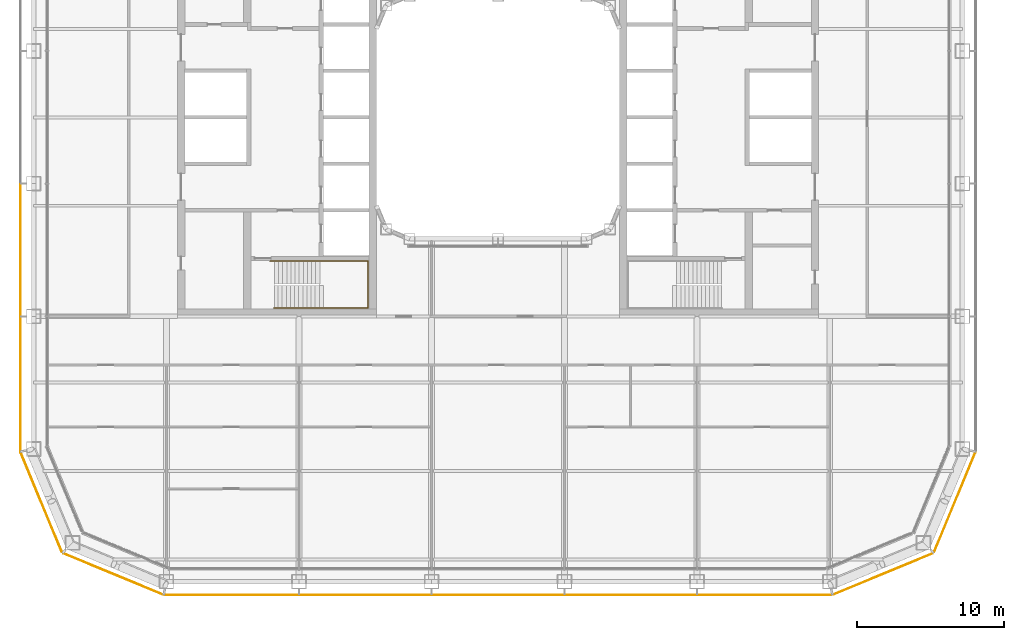
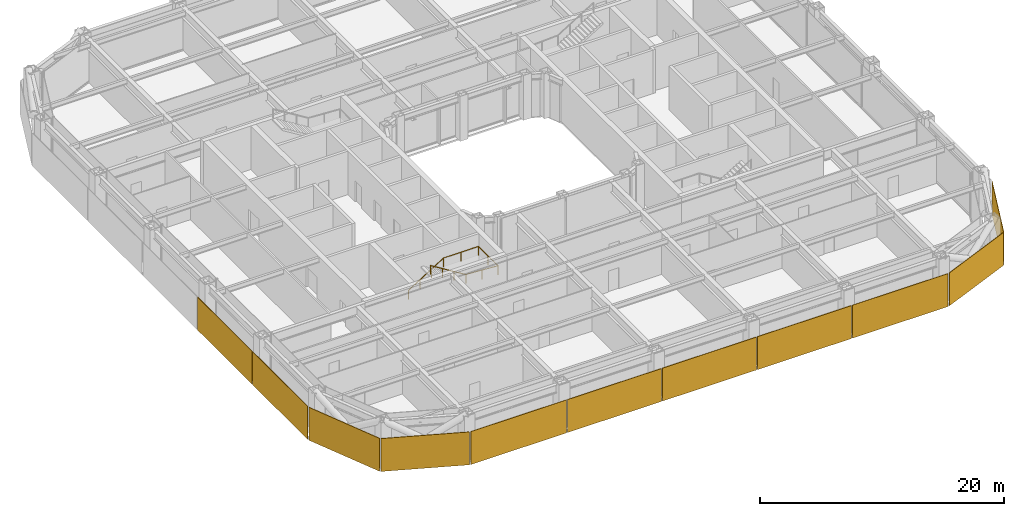
# One storey, part 25 of 30: 11 coverings, 1 railing.
"""IFC4 building model written with IfcOpenShell, lengths in metres."""

from ifc_helpers import new_model, si_unit, direction, frame, origin, origin_2d, place, context, subcontext, project, spatial, rectangle, circle, extrude, material, layer, layer_set, type_object, element, save


model = new_model("IFC4")

# Units and contexts
model_context = context("Model", 3, precision=1e-05, world=origin(), true_north=direction((0.0, 1.0)))
body_context = subcontext(model_context, "Body", "Model", "MODEL_VIEW")
ifc_project = project(units=[si_unit("LENGTHUNIT", "METRE"), si_unit("AREAUNIT", "SQUARE_METRE"), si_unit("VOLUMEUNIT", "CUBIC_METRE"), si_unit("PLANEANGLEUNIT", "RADIAN"), si_unit("MASSUNIT", "GRAM", prefix="KILO")], contexts=[model_context])

# Site, building, storey
site_placement = place(None, origin())
site = spatial("IfcSite", under=ifc_project, at=site_placement, CompositionType="ELEMENT")
building_placement = place(site_placement, origin())
building = spatial("IfcBuilding", under=site, at=building_placement, Name="Siwar Civic Tower", CompositionType="ELEMENT")
storey_placement = place(building_placement, frame((0.0, 0.0, 80.699951171875)))
storey = spatial("IfcBuildingStorey", under=building, at=storey_placement, Name="L17", CompositionType="ELEMENT", Elevation=80.699951171875)

# Railing
ifc_material_1 = material(Name="Stainless steel", Category="steel")
railing_type = type_object("IfcRailingType", Name="CORE-STAIR-HANDRAIL", PredefinedType="HANDRAIL", material=ifc_material_1)
railing_placement = place(storey_placement, frame((-15.449951171875, -9.758056640625, 0.173095703125)))
element("IfcRailing", 1, at=railing_placement, inside=storey, type_object=railing_type, Name="Stair handrail ST2", PredefinedType="HANDRAIL", context=body_context, shape_type="SweptSolid", body=[
    extrude(circle(Radius=0.02001953125, at=origin_2d()), frame((0.0, 0.0, 0.8798828125), z_axis=(0.847063342986, 0.0, 0.531491950051), x_axis=(0.0, 1.0, 0.0)), (0.0, 0.0, 1.0), 3.90771484375),
    extrude(circle(Radius=0.02001953125, at=origin_2d()), frame((3.31005859375, 0.0, 2.956787109375), z_axis=(1.0, 0.0, 0.0), x_axis=(0.0, 1.0, 0.0)), (0.0, 0.0, 1.0), 3.331787109375),
    extrude(circle(Radius=0.02001953125, at=origin_2d()), frame((6.641845703125, 0.0, 2.956787109375), z_axis=(0.0, -1.0, 0.0), x_axis=(1.0, 0.0, 0.0)), (0.0, 0.0, 1.0), 3.183837890625),
    extrude(circle(Radius=0.02001953125, at=origin_2d()), frame((6.641845703125, -3.183837890625, 2.956787109375), z_axis=(-0.99837434197, 0.0, 0.056997134106), x_axis=(0.0, -1.0, 0.0)), (0.0, 0.0, 1.0), 3.036865234375),
    extrude(circle(Radius=0.02001953125, at=origin_2d()), frame((3.60986328125, -3.183837890625, 3.1298828125), z_axis=(-0.850606129759, 0.0, 0.525803396734), x_axis=(0.0, -1.0, 0.0)), (0.0, 0.0, 1.0), 3.949951171875),
    extrude(circle(Radius=0.02001953125, at=origin_2d()), origin(), (0.0, 0.0, 1.0), 0.85986328125),
    extrude(circle(Radius=0.02001953125, at=origin_2d()), frame((1.103271484375, 0.0, 0.6923828125)), (0.0, 0.0, 1.0), 0.85986328125),
    extrude(circle(Radius=0.02001953125, at=origin_2d()), frame((2.206787109375, 0.0, 1.384521484375)), (0.0, 0.0, 1.0), 0.85986328125),
    extrude(circle(Radius=0.02001953125, at=origin_2d()), frame((3.31005859375, 0.0, 2.076904296875)), (0.0, 0.0, 1.0), 0.85986328125),
    extrude(circle(Radius=0.02001953125, at=origin_2d()), frame((4.97607421875, 0.0, 2.076904296875)), (0.0, 0.0, 1.0), 0.85986328125),
    extrude(circle(Radius=0.02001953125, at=origin_2d()), frame((6.641845703125, 0.0, 2.076904296875)), (0.0, 0.0, 1.0), 0.85986328125),
    extrude(circle(Radius=0.02001953125, at=origin_2d()), frame((6.641845703125, -1.591796875, 2.076904296875)), (0.0, 0.0, 1.0), 0.85986328125),
    extrude(circle(Radius=0.02001953125, at=origin_2d()), frame((6.641845703125, -3.183837890625, 2.076904296875)), (0.0, 0.0, 1.0), 0.85986328125),
    extrude(circle(Radius=0.02001953125, at=origin_2d()), frame((5.1259765625, -3.183837890625, 2.16357421875)), (0.0, 0.0, 1.0), 0.85986328125),
    extrude(circle(Radius=0.02001953125, at=origin_2d()), frame((3.60986328125, -3.183837890625, 2.25)), (0.0, 0.0, 1.0), 0.85986328125),
    extrude(circle(Radius=0.02001953125, at=origin_2d()), frame((2.489990234375, -3.183837890625, 2.9423828125)), (0.0, 0.0, 1.0), 0.85986328125),
    extrude(circle(Radius=0.02001953125, at=origin_2d()), frame((1.369873046875, -3.183837890625, 3.634521484375)), (0.0, 0.0, 1.0), 0.85986328125),
    extrude(circle(Radius=0.02001953125, at=origin_2d()), frame((0.25, -3.183837890625, 4.326904296875)), (0.0, 0.0, 1.0), 0.85986328125),
])

# Coverings
ifc_material_2 = material(Name="Perforated aluminium cassette, pale metal", Category="aluminium")
ifc_layer_1 = layer(ifc_material_2, 0.044921875)
ifc_layer_set_1 = layer_set([ifc_layer_1], Name="Perforated aluminium cassette, pale metal")
covering_type_1 = type_object("IfcCoveringType", Name="ENV-OUTER SKIN OS-2", PredefinedType="CLADDING", material=ifc_layer_set_1)
covering_1_placement = place(storey_placement, frame((30.976318359375, -26.115966796875, -0.14990234375), z_axis=(0.0, 0.0, 1.0), x_axis=(0.382683432365, 0.923879532511, 0.0)))
element("IfcCovering", 2, at=covering_1_placement, inside=storey, type_object=covering_type_1, Name="OUTER SKIN OS-2 SE2 1", PredefinedType="CLADDING", context=body_context, shape_type="SweptSolid", body=[
    extrude(rectangle(XDim=7.300048828125, YDim=0.044921875, at=origin_2d()), origin(), (0.0, 0.0, 1.0), 3.300048828125),
])
ifc_material_3 = material(Name="Perforated aluminium cassette, pale metal", Category="aluminium")
ifc_layer_2 = layer(ifc_material_3, 0.050048828125)
ifc_layer_set_2 = layer_set([ifc_layer_2], Name="Perforated aluminium cassette, pale metal")
covering_type_2 = type_object("IfcCoveringType", Name="ENV-OUTER SKIN OS-3", PredefinedType="CLADDING", material=ifc_layer_set_2)
covering_2_placement = place(storey_placement, frame((26.115966796875, -30.976318359375, -0.14990234375), z_axis=(0.0, 0.0, 1.0), x_axis=(0.923879532511, 0.382683432365, 0.0)))
element("IfcCovering", 3, at=covering_2_placement, inside=storey, type_object=covering_type_2, Name="OUTER SKIN OS-3 SE1 1", PredefinedType="CLADDING", context=body_context, shape_type="SweptSolid", body=[
    extrude(rectangle(XDim=7.300048828125, YDim=0.050048828125, at=origin_2d()), origin(), (0.0, 0.0, 1.0), 3.300048828125),
])
covering_3_placement = place(storey_placement, frame((-32.39990234375, -9.0, -0.14990234375), z_axis=(0.0, 0.0, 1.0), x_axis=(0.0, -1.0, 0.0)))
element("IfcCovering", 4, at=covering_3_placement, inside=storey, type_object=covering_type_2, Name="OUTER SKIN OS-3 W 4", PredefinedType="CLADDING", context=body_context, shape_type="SweptSolid", body=[
    extrude(rectangle(XDim=8.89990234375, YDim=0.050048828125, at=origin_2d()), origin(), (0.0, 0.0, 1.0), 3.300048828125),
])
covering_4_placement = place(storey_placement, frame((-32.39990234375, -18.07958984375, -0.14990234375), z_axis=(0.0, 0.0, 1.0), x_axis=(0.0, -1.0, 0.0)))
element("IfcCovering", 5, at=covering_4_placement, inside=storey, type_object=covering_type_2, Name="OUTER SKIN OS-3 W 5", PredefinedType="CLADDING", context=body_context, shape_type="SweptSolid", body=[
    extrude(rectangle(XDim=9.05908203125, YDim=0.050048828125, at=origin_2d()), origin(), (0.0, 0.0, 1.0), 3.300048828125),
])
ifc_material_4 = material(Name="Perforated aluminium cassette, pale metal", Category="aluminium")
ifc_layer_3 = layer(ifc_material_4, 0.054931640625)
ifc_layer_set_3 = layer_set([ifc_layer_3], Name="Perforated aluminium cassette, pale metal")
covering_type_3 = type_object("IfcCoveringType", Name="ENV-OUTER SKIN OS-4", PredefinedType="CLADDING", material=ifc_layer_set_3)
covering_5_placement = place(storey_placement, frame((-18.07958984375, -32.39990234375, -0.14990234375), z_axis=(0.0, 0.0, 1.0), x_axis=(1.0, 0.0, 0.0)))
element("IfcCovering", 6, at=covering_5_placement, inside=storey, type_object=covering_type_3, Name="OUTER SKIN OS-4 S 1", PredefinedType="CLADDING", context=body_context, shape_type="SweptSolid", body=[
    extrude(rectangle(XDim=9.05908203125, YDim=0.054931640625, at=origin_2d()), origin(), (0.0, 0.0, 1.0), 3.300048828125),
])
for number, where, z_axis, x_axis, name in (
    (7, (-9.0, -32.39990234375, -0.14990234375), (0.0, 0.0, 1.0), (1.0, 0.0, 0.0), "OUTER SKIN OS-4 S 2"),
    (8, (0.0, -32.39990234375, -0.14990234375), (0.0, 0.0, 1.0), (1.0, 0.0, 0.0), "OUTER SKIN OS-4 S 3"),
    (9, (9.0, -32.39990234375, -0.14990234375), (0.0, 0.0, 1.0), (1.0, 0.0, 0.0), "OUTER SKIN OS-4 S 4"),
):
    element("IfcCovering", number, at=place(storey_placement, frame(where, z_axis=z_axis, x_axis=x_axis)), inside=storey, type_object=covering_type_3, Name=name, PredefinedType="CLADDING", context=body_context, shape_type="SweptSolid", body=[
        extrude(rectangle(XDim=8.89990234375, YDim=0.054931640625, at=origin_2d()), origin(), (0.0, 0.0, 1.0), 3.300048828125),
    ])
covering_6_placement = place(storey_placement, frame((18.07958984375, -32.39990234375, -0.14990234375), z_axis=(0.0, 0.0, 1.0), x_axis=(1.0, 0.0, 0.0)))
element("IfcCovering", 10, at=covering_6_placement, inside=storey, type_object=covering_type_3, Name="OUTER SKIN OS-4 S 5", PredefinedType="CLADDING", context=body_context, shape_type="SweptSolid", body=[
    extrude(rectangle(XDim=9.05908203125, YDim=0.054931640625, at=origin_2d()), origin(), (0.0, 0.0, 1.0), 3.300048828125),
])
for number, where, z_axis, x_axis, name in (
    (11, (-30.976318359375, -26.115966796875, -0.14990234375), (0.0, 0.0, 1.0), (0.382683432365, -0.923879532511, 0.0), "OUTER SKIN OS-4 SW1 1"),
    (12, (-26.115966796875, -30.976318359375, -0.14990234375), (0.0, 0.0, 1.0), (0.923879532511, -0.382683432365, 0.0), "OUTER SKIN OS-4 SW2 1"),
):
    element("IfcCovering", number, at=place(storey_placement, frame(where, z_axis=z_axis, x_axis=x_axis)), inside=storey, type_object=covering_type_3, Name=name, PredefinedType="CLADDING", context=body_context, shape_type="SweptSolid", body=[
        extrude(rectangle(XDim=7.300048828125, YDim=0.054931640625, at=origin_2d()), origin(), (0.0, 0.0, 1.0), 3.300048828125),
    ])

save(model, "model.ifc")
